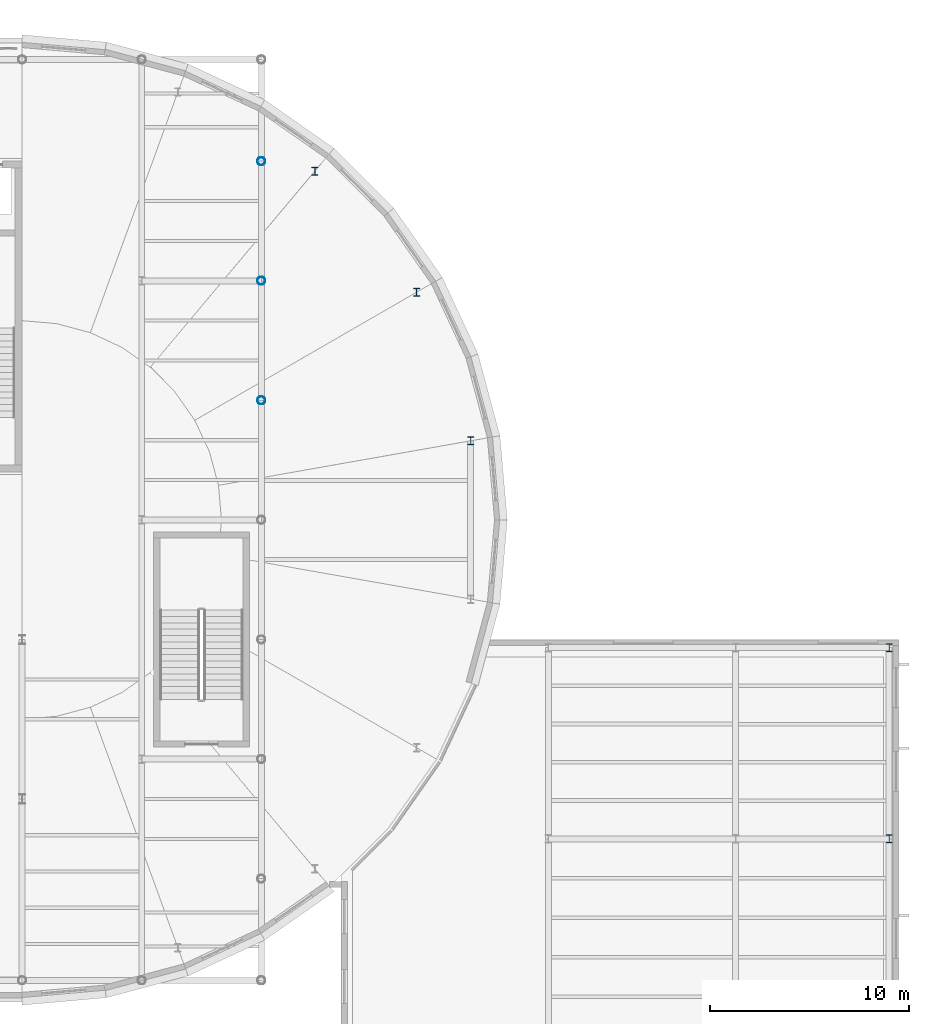
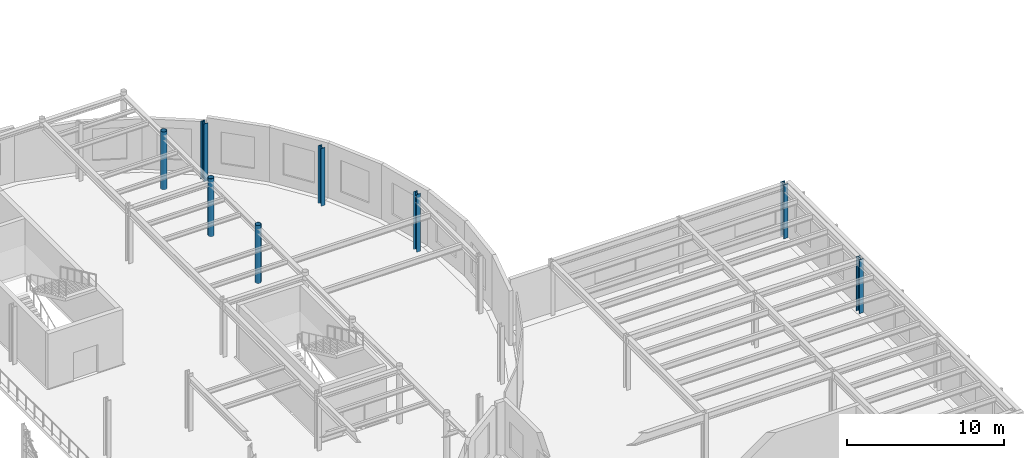
# One storey, part 15 of 91: 8 columns.
"""IFC4 building model written with IfcOpenShell, lengths in metres."""

from ifc_helpers import new_model, si_unit, direction, frame, origin, origin_2d, place, context, subcontext, project, spatial, hollow_circle, i_section, extrude, material, material_profile, profile_set, type_object, element, save


model = new_model("IFC4")

# Units and contexts
model_context = context("Model", 3, precision=1e-05, world=origin(), true_north=direction((0.0, 1.0)))
body_context = subcontext(model_context, "Body", "Model", "MODEL_VIEW")
ifc_project = project(units=[si_unit("LENGTHUNIT", "METRE"), si_unit("AREAUNIT", "SQUARE_METRE"), si_unit("VOLUMEUNIT", "CUBIC_METRE"), si_unit("PLANEANGLEUNIT", "RADIAN"), si_unit("MASSUNIT", "GRAM", prefix="KILO")], contexts=[model_context])

# Site, building, storey
site_placement = place(None, origin())
site = spatial("IfcSite", under=ifc_project, at=site_placement, CompositionType="ELEMENT")
building_placement = place(site_placement, origin())
building = spatial("IfcBuilding", under=site, at=building_placement, Name="Kolvaren Corner Interchange", CompositionType="ELEMENT")
storey_placement = place(building_placement, frame((0.0, 0.0, 6.0)))
storey = spatial("IfcBuildingStorey", under=building, at=storey_placement, Name="L02", CompositionType="ELEMENT", Elevation=6.0)

# Columns
ifc_material_1 = material(Name="Steel S355", Category="steel")
ifc_material_profile_1 = material_profile(ifc_material_1, hollow_circle(Radius=0.203125, WallThickness=0.01611328125, at=origin_2d()), Name="CHS 406.4x16.0")
ifc_profile_set_1 = profile_set([ifc_material_profile_1], Name="Steel S355")
column_type_1 = type_object("IfcColumnType", Name="COL-CHS406", PredefinedType="COLUMN", material=ifc_profile_set_1)
for number, where, z_axis, x_axis, name in (
    (1, (132.0, 54.0, 0.0), (0.0, 0.0, 1.0), (1.0, 0.0, 0.0), "Storey L02 Structural Column 0769"),
    (2, (132.0, 60.0, 0.0), (0.0, 0.0, 1.0), (1.0, 0.0, 0.0), "Storey L02 Structural Column 0773"),
    (3, (132.0, 66.0, 0.0), (0.0, 0.0, 1.0), (1.0, 0.0, 0.0), "Storey L02 Structural Column 0777"),
):
    element("IfcColumn", number, at=place(storey_placement, frame(where, z_axis=z_axis, x_axis=x_axis)), inside=storey, type_object=column_type_1, Name=name, PredefinedType="COLUMN", context=body_context, shape_type="SweptSolid", body=[
        extrude(hollow_circle(Radius=0.203125, WallThickness=0.01611328125, at=origin_2d()), origin(), (0.0, 0.0, 1.0), 4.5),
    ])
ifc_material_2 = material(Name="Steel S355", Category="steel")
ifc_material_profile_2 = material_profile(ifc_material_2, i_section(OverallWidth=0.300048828125, OverallDepth=0.39990234375, WebThickness=0.013427734375, FlangeThickness=0.02392578125, FilletRadius=0.027099609375, at=origin_2d()), Name="HEB 400")
ifc_profile_set_2 = profile_set([ifc_material_profile_2], Name="Steel S355")
column_type_2 = type_object("IfcColumnType", Name="COL-HEB400", PredefinedType="COLUMN", material=ifc_profile_set_2)
for number, where, z_axis, x_axis, name in (
    (4, (142.5029296875, 51.968017578125, 0.0), (0.0, 0.0, 1.0), (1.0, 0.0, 0.0), "Storey L02 Structural Column 0833"),
    (5, (139.7890625, 59.425048828125, 0.0), (0.0, 0.0, 1.0), (1.0, 0.0, 0.0), "Storey L02 Structural Column 0837"),
    (6, (134.68798828125, 65.50390625, 0.0), (0.0, 0.0, 1.0), (1.0, 0.0, 0.0), "Storey L02 Structural Column 0841"),
):
    element("IfcColumn", number, at=place(storey_placement, frame(where, z_axis=z_axis, x_axis=x_axis)), inside=storey, type_object=column_type_2, Name=name, PredefinedType="COLUMN", context=body_context, shape_type="SweptSolid", body=[
        extrude(i_section(OverallWidth=0.300048828125, OverallDepth=0.39990234375, WebThickness=0.013427734375, FlangeThickness=0.02392578125, FilletRadius=0.027099609375, at=origin_2d()), origin(), (0.0, 0.0, 1.0), 4.5),
    ])
for number, where, z_axis, x_axis, name in (
    (7, (163.5, 32.0, 0.0), (0.0, 0.0, 1.0), (1.0, 0.0, 0.0), "Storey L02 Structural Column 0987"),
    (8, (163.5, 41.60009765625, 0.0), (0.0, 0.0, 1.0), (1.0, 0.0, 0.0), "Storey L02 Structural Column 0989"),
):
    element("IfcColumn", number, at=place(storey_placement, frame(where, z_axis=z_axis, x_axis=x_axis)), inside=storey, type_object=column_type_2, Name=name, PredefinedType="COLUMN", context=body_context, shape_type="SweptSolid", body=[
        extrude(i_section(OverallWidth=0.300048828125, OverallDepth=0.39990234375, WebThickness=0.013427734375, FlangeThickness=0.02392578125, FilletRadius=0.027099609375, at=origin_2d()), origin(), (0.0, 0.0, 1.0), 4.199951171875),
    ])

save(model, "model.ifc")
